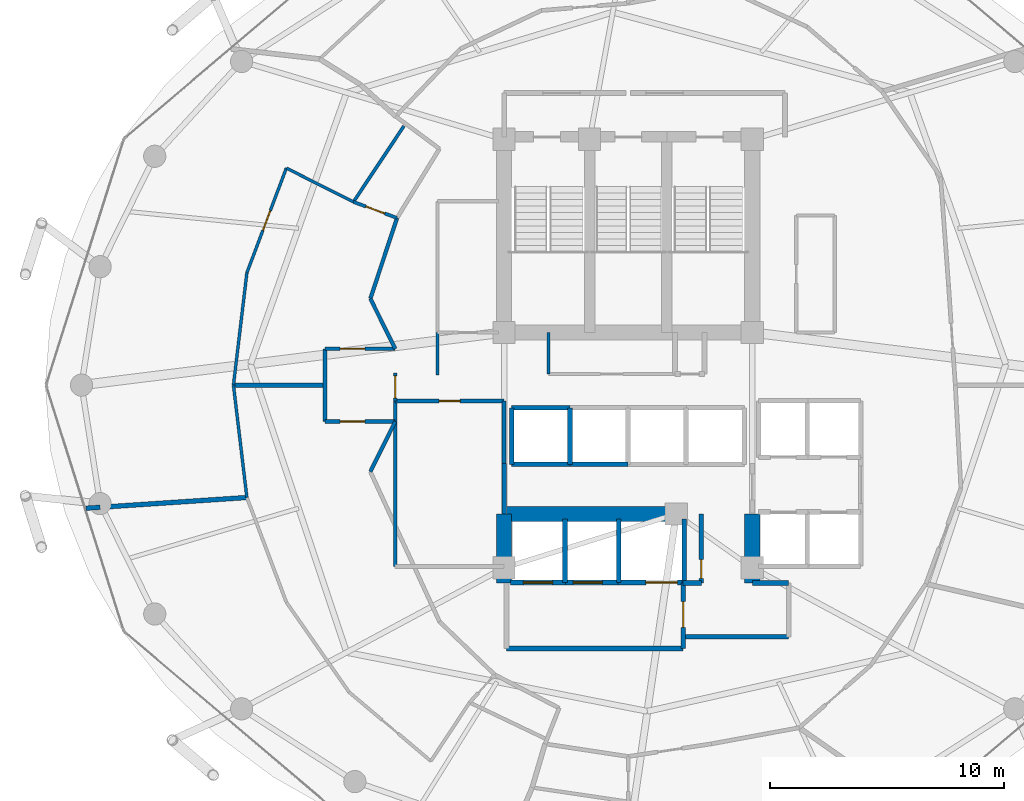
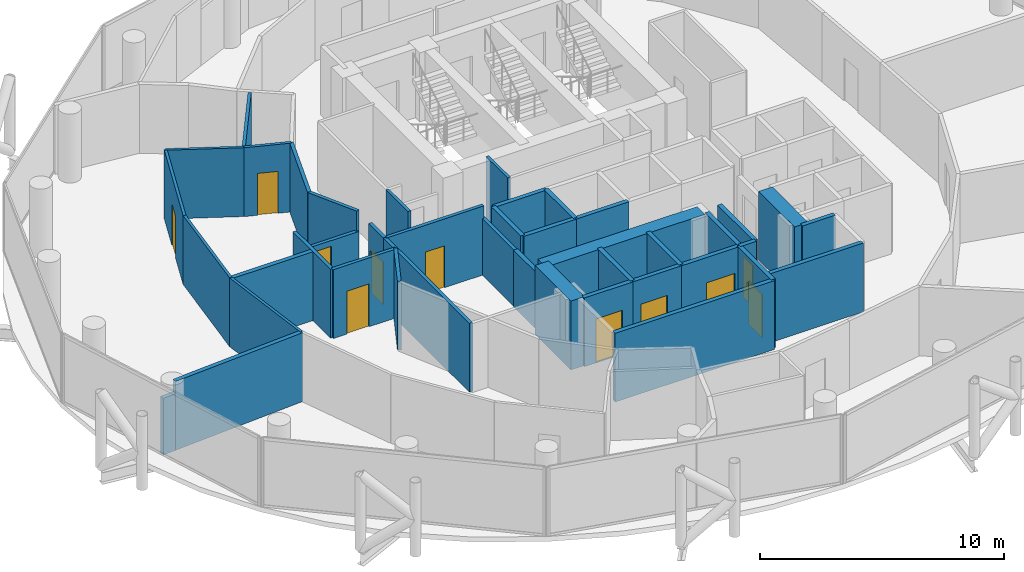
# One storey, part 22 of 26: 42 walls, 11 doors, 11 openings.
"""IFC4 building model written with IfcOpenShell, lengths in metres."""

from ifc_helpers import new_model, si_unit, direction, frame, frame_2d, origin, place, context, subcontext, project, spatial, rectangle, extrude, material, layer, layer_set, type_object, element, fill, save


model = new_model("IFC4")

# Units and contexts
model_context = context("Model", 3, precision=1e-05, world=origin(), true_north=direction((0.0, 1.0)))
body_context = subcontext(model_context, "Body", "Model", "MODEL_VIEW")
ifc_project = project(units=[si_unit("LENGTHUNIT", "METRE"), si_unit("AREAUNIT", "SQUARE_METRE"), si_unit("VOLUMEUNIT", "CUBIC_METRE"), si_unit("PLANEANGLEUNIT", "RADIAN"), si_unit("MASSUNIT", "GRAM", prefix="KILO")], contexts=[model_context])

# Site, building, storey
site_placement = place(None, origin())
site = spatial("IfcSite", under=ifc_project, at=site_placement, CompositionType="ELEMENT")
building_placement = place(site_placement, origin())
building = spatial("IfcBuilding", under=site, at=building_placement, Name="Nuhasar Tower", CompositionType="ELEMENT")
storey_placement = place(building_placement, frame((0.0, 0.0, 155.25)))
storey = spatial("IfcBuildingStorey", under=building, at=storey_placement, Name="L37", CompositionType="ELEMENT", Elevation=155.25)

# Walls
ifc_material_1 = material(Name="Concrete C65/80", Category="concrete")
ifc_layer_1 = layer(ifc_material_1, 0.64990234375)
ifc_layer_set_1 = layer_set([ifc_layer_1], Name="Concrete C65/80")
wall_type_1 = type_object("IfcWallType", Name="WL-CORE-650", PredefinedType="SHEAR", material=ifc_layer_set_1)
for number, where, z_axis, x_axis, name in (
    (1, (33.699951171875, 18.35009765625, 0.0), (0.0, 0.0, 1.0), (0.0, 1.0, 0.0), "L37 Core Shear Wall CW-SW CW-650"),
    (2, (44.300048828125, 18.35009765625, 0.0), (0.0, 0.0, 1.0), (0.0, 1.0, 0.0), "L37 Core Shear Wall CW-SE CW-650"),
):
    element("IfcWall", number, at=place(storey_placement, frame(where, z_axis=z_axis, x_axis=x_axis)), inside=storey, type_object=wall_type_1, Name=name, PredefinedType="SHEAR", context=body_context, shape_type="SweptSolid", body=[
        extrude(rectangle(XDim=2.949951171875, YDim=0.64990234375, at=frame_2d((1.47509765625, 0.0))), origin(), (0.0, 0.0, 1.0), 3.449951171875),
    ])
wall_1_placement = place(storey_placement, frame((33.699951171875, 21.300048828125, 0.0), z_axis=(0.0, 0.0, 1.0), x_axis=(1.0, 0.0, 0.0)))
element("IfcWall", 3, at=wall_1_placement, inside=storey, type_object=wall_type_1, Name="L37 Core Shear Wall CW-S1 CW-650", PredefinedType="SHEAR", context=body_context, shape_type="SweptSolid", body=[
    extrude(rectangle(XDim=7.550048828125, YDim=0.64990234375, at=frame_2d((3.77490234375, 0.0))), origin(), (0.0, 0.0, 1.0), 3.449951171875),
])
ifc_material_2 = material(Name="Gypsum Board", Category="gypsum")
ifc_layer_2 = layer(ifc_material_2, 0.159912109375)
ifc_layer_set_2 = layer_set([ifc_layer_2], Name="Gypsum Board")
wall_type_2 = type_object("IfcWallType", Name="WL-CORR-160", PredefinedType="PARTITIONING", material=ifc_layer_set_2)
wall_2_placement = place(storey_placement, frame((29.050048828125, 19.050048828125, 0.0), z_axis=(0.0, 0.0, 1.0), x_axis=(0.0, 1.0, 0.0)))
element("IfcWall", 4, at=wall_2_placement, inside=storey, type_object=wall_type_2, Name="L37 Interior Partition RECL-B1-W", PredefinedType="PARTITIONING", context=body_context, shape_type="SweptSolid", body=[
    extrude(rectangle(XDim=7.070068359375, YDim=0.159912109375, at=frame_2d((3.53515625, 0.0))), origin(), (0.0, 0.0, 1.0), 3.449951171875),
])
wall_3_placement = place(storey_placement, frame((33.699951171875, 23.449951171875, 0.0), z_axis=(0.0, 0.0, 1.0), x_axis=(0.0, 1.0, 0.0)))
element("IfcWall", 5, at=wall_3_placement, inside=storey, type_object=wall_type_2, Name="L37 Interior Partition RECL-B1-E", PredefinedType="PARTITIONING", context=body_context, shape_type="SweptSolid", body=[
    extrude(rectangle(XDim=2.670166015625, YDim=0.159912109375, at=frame_2d((1.3349609375, 0.0))), origin(), (0.0, 0.0, 1.0), 2.8349609375),
])

# Wall, opening, door
wall_4_placement = place(storey_placement, frame((33.699951171875, 26.1201171875, 0.0), z_axis=(0.0, 0.0, 1.0), x_axis=(-1.0, 0.0, 0.0)))
wall_4 = element("IfcWall", 6, at=wall_4_placement, inside=storey, type_object=wall_type_2, Name="L37 Interior Partition RECL-B1-N", PredefinedType="PARTITIONING", context=body_context, shape_type="SweptSolid", body=[
    extrude(rectangle(XDim=4.64990234375, YDim=0.159912109375, at=frame_2d((2.324951171875, 0.0))), origin(), (0.0, 0.0, 1.0), 3.449951171875),
])
opening_1_placement = place(wall_4_placement, frame((1.875, 0.0, 0.0)))
opening_1 = element("IfcOpeningElement", 7, at=opening_1_placement, cuts=wall_4, Name="Opening DR-01", PredefinedType="OPENING", context=body_context, shape_type="SweptSolid", body=[
    extrude(rectangle(XDim=0.89990234375, YDim=2.10009765625, at=frame_2d((0.449951171875, 1.050048828125))), frame((0.0, 0.08984375, 0.0), z_axis=(0.0, -1.0, 0.0), x_axis=(1.0, 0.0, 0.0)), (0.0, 0.0, 1.0), 0.179931640625),
])
ifc_material_3 = material(Name="Timber Oak", Category="wood")
door_type_1 = type_object("IfcDoorType", Name="DR-ROOM-900", OperationType="NOTDEFINED", PredefinedType="DOOR", material=ifc_material_3)
door_1_placement = place(opening_1_placement, origin())
door_1 = element("IfcDoor", 8, at=door_1_placement, inside=storey, type_object=door_type_1, Name="L37 Butler Store Door", OperationType="SINGLE_SWING_RIGHT", OverallHeight=2.10009765625, OverallWidth=0.89990234375, PredefinedType="DOOR", context=body_context, shape_type="SweptSolid", body=[
    extrude(rectangle(XDim=0.89990234375, YDim=2.10009765625, at=frame_2d((0.449951171875, 1.050048828125))), frame((0.0, 0.02490234375, 0.0), z_axis=(0.0, -1.0, 0.0), x_axis=(1.0, 0.0, 0.0)), (0.0, 0.0, 1.0), 0.050048828125),
])
fill(opening_1, door_1)

wall_5_placement = place(storey_placement, frame((29.050048828125, 26.1201171875, 0.0), z_axis=(0.0, 0.0, 1.0), x_axis=(0.0, 1.0, 0.0)))
wall_5 = element("IfcWall", 9, at=wall_5_placement, inside=storey, type_object=wall_type_2, Name="L37 Interior Partition WVEST-E", PredefinedType="PARTITIONING", context=body_context, shape_type="SweptSolid", body=[
    extrude(rectangle(XDim=1.199951171875, YDim=0.159912109375, at=frame_2d((0.60009765625, 0.0))), origin(), (0.0, 0.0, 1.0), 3.449951171875),
])
opening_2_placement = place(wall_5_placement, frame((0.125, 0.0, 0.0)))
opening_2 = element("IfcOpeningElement", 10, at=opening_2_placement, cuts=wall_5, Name="Opening DO-01", PredefinedType="OPENING", context=body_context, shape_type="SweptSolid", body=[
    extrude(rectangle(XDim=0.949951171875, YDim=2.14990234375, at=frame_2d((0.47509765625, 1.074951171875))), frame((0.0, 0.08984375, 0.0), z_axis=(0.0, -1.0, 0.0), x_axis=(1.0, 0.0, 0.0)), (0.0, 0.0, 1.0), 0.179931640625),
])
door_type_2 = type_object("IfcDoorType", Name="DR-OFFICE-FD30-950", OperationType="NOTDEFINED", PredefinedType="DOOR", material=ifc_material_3)
door_2_placement = place(opening_2_placement, origin())
door_2 = element("IfcDoor", 11, at=door_2_placement, inside=storey, type_object=door_type_2, Name="L37 West Arrival Foyer Core Door", OperationType="SINGLE_SWING_RIGHT", OverallHeight=2.14990234375, OverallWidth=0.949951171875, PredefinedType="DOOR", context=body_context, shape_type="SweptSolid", body=[
    extrude(rectangle(XDim=0.949951171875, YDim=2.14990234375, at=frame_2d((0.47509765625, 1.074951171875))), frame((0.0, 0.02490234375, 0.0), z_axis=(0.0, -1.0, 0.0), x_axis=(1.0, 0.0, 0.0)), (0.0, 0.0, 1.0), 0.050048828125),
])
fill(opening_2, door_2)

# Wall
wall_6_placement = place(storey_placement, frame((29.126953125, 33.93994140625, 0.0), z_axis=(0.0, 0.0, 1.0), x_axis=(-0.313985571683, -0.949427754374, 0.0)))
element("IfcWall", 12, at=wall_6_placement, inside=storey, type_object=wall_type_2, Name="L37 Interior Partition HWEST-CORE-N-20", PredefinedType="PARTITIONING", context=body_context, shape_type="SweptSolid", body=[
    extrude(rectangle(XDim=3.627197265625, YDim=0.159912109375, at=frame_2d((1.8134765625, 0.0))), origin(), (0.0, 0.0, 1.0), 3.449951171875),
])

# Wall, opening, door
wall_7_placement = place(storey_placement, frame((26.050048828125, 28.35009765625, 0.0), z_axis=(0.0, 0.0, 1.0), x_axis=(1.0, 0.0, 0.0)))
wall_7 = element("IfcWall", 13, at=wall_7_placement, inside=storey, type_object=wall_type_2, Name="L37 Interior Partition WVEST-N", PredefinedType="PARTITIONING", context=body_context, shape_type="SweptSolid", body=[
    extrude(rectangle(XDim=3.0, YDim=0.159912109375, at=frame_2d((1.5, 0.0))), origin(), (0.0, 0.0, 1.0), 2.43994140625),
])
opening_3_placement = place(wall_7_placement, frame((0.64990234375, 0.0, 0.0)))
opening_3 = element("IfcOpeningElement", 14, at=opening_3_placement, cuts=wall_7, Name="Opening DU-01", PredefinedType="OPENING", context=body_context, shape_type="SweptSolid", body=[
    extrude(rectangle(XDim=1.050048828125, YDim=2.14990234375, at=frame_2d((0.52490234375, 1.074951171875))), frame((0.0, 0.08984375, 0.0), z_axis=(0.0, -1.0, 0.0), x_axis=(1.0, 0.0, 0.0)), (0.0, 0.0, 1.0), 0.179931640625),
])
door_type_3 = type_object("IfcDoorType", Name="DR-SUITE-FD60-1050", OperationType="NOTDEFINED", PredefinedType="DOOR", material=ifc_material_3)
door_3_placement = place(opening_3_placement, origin())
door_3 = element("IfcDoor", 15, at=door_3_placement, inside=storey, type_object=door_type_3, Name="L37 North-West Sunset Suite Entrance", OperationType="SINGLE_SWING_LEFT", OverallHeight=2.14990234375, OverallWidth=1.050048828125, PredefinedType="DOOR", context=body_context, shape_type="SweptSolid", body=[
    extrude(rectangle(XDim=1.050048828125, YDim=2.14990234375, at=frame_2d((0.52490234375, 1.074951171875))), frame((0.0, 0.02490234375, 0.0), z_axis=(0.0, -1.0, 0.0), x_axis=(1.0, 0.0, 0.0)), (0.0, 0.0, 1.0), 0.050048828125),
])
fill(opening_3, door_3)

wall_8_placement = place(storey_placement, frame((26.050048828125, 25.25, 0.0), z_axis=(0.0, 0.0, 1.0), x_axis=(1.0, 0.0, 0.0)))
wall_8 = element("IfcWall", 16, at=wall_8_placement, inside=storey, type_object=wall_type_2, Name="L37 Interior Partition WVEST-S", PredefinedType="PARTITIONING", context=body_context, shape_type="SweptSolid", body=[
    extrude(rectangle(XDim=3.0, YDim=0.159912109375, at=frame_2d((1.5, 0.0))), origin(), (0.0, 0.0, 1.0), 3.449951171875),
])
opening_4_placement = place(wall_8_placement, frame((0.64990234375, 0.0, 0.0)))
opening_4 = element("IfcOpeningElement", 17, at=opening_4_placement, cuts=wall_8, Name="Opening DU-01", PredefinedType="OPENING", context=body_context, shape_type="SweptSolid", body=[
    extrude(rectangle(XDim=1.050048828125, YDim=2.14990234375, at=frame_2d((0.52490234375, 1.074951171875))), frame((0.0, 0.08984375, 0.0), z_axis=(0.0, -1.0, 0.0), x_axis=(1.0, 0.0, 0.0)), (0.0, 0.0, 1.0), 0.179931640625),
])
door_4_placement = place(opening_4_placement, origin())
door_4 = element("IfcDoor", 18, at=door_4_placement, inside=storey, type_object=door_type_3, Name="L37 South-West Presidential Suite Entrance", OperationType="SINGLE_SWING_LEFT", OverallHeight=2.14990234375, OverallWidth=1.050048828125, PredefinedType="DOOR", context=body_context, shape_type="SweptSolid", body=[
    extrude(rectangle(XDim=1.050048828125, YDim=2.14990234375, at=frame_2d((0.52490234375, 1.074951171875))), frame((0.0, 0.02490234375, 0.0), z_axis=(0.0, -1.0, 0.0), x_axis=(1.0, 0.0, 0.0)), (0.0, 0.0, 1.0), 0.050048828125),
])
fill(opening_4, door_4)

# Walls
wall_9_placement = place(storey_placement, frame((26.050048828125, 25.25, 0.0), z_axis=(0.0, 0.0, 1.0), x_axis=(0.0, 1.0, 0.0)))
element("IfcWall", 19, at=wall_9_placement, inside=storey, type_object=wall_type_2, Name="L37 Interior Partition WVEST-W", PredefinedType="PARTITIONING", context=body_context, shape_type="SweptSolid", body=[
    extrude(rectangle(XDim=3.10009765625, YDim=0.159912109375, at=frame_2d((1.550048828125, 0.0))), origin(), (0.0, 0.0, 1.0), 3.449951171875),
])
for number, where, z_axis, x_axis, name in (
    (20, (27.988037109375, 30.49609375, 0.0), (0.0, 0.0, 1.0), (0.443539160525, -0.896254993337, 0.0), "L37 Interior Partition WVEST-CN"),
    (21, (27.988037109375, 23.10400390625, 0.0), (0.0, 0.0, 1.0), (0.443539160525, 0.896254993337, 0.0), "L37 Interior Partition WVEST-CS"),
):
    element("IfcWall", number, at=place(storey_placement, frame(where, z_axis=z_axis, x_axis=x_axis)), inside=storey, type_object=wall_type_2, Name=name, PredefinedType="PARTITIONING", context=body_context, shape_type="SweptSolid", body=[
        extrude(rectangle(XDim=2.394287109375, YDim=0.159912109375, at=frame_2d((1.197265625, 0.0))), origin(), (0.0, 0.0, 1.0), 3.449951171875),
    ])
ifc_material_4 = material(Name="Concrete C45/55", Category="concrete")
ifc_layer_3 = layer(ifc_material_4, 0.199951171875)
ifc_layer_set_3 = layer_set([ifc_layer_3], Name="Concrete C45/55")
wall_type_3 = type_object("IfcWallType", Name="WL-LOBBY-200", PredefinedType="SOLIDWALL", material=ifc_layer_set_3)
wall_10_placement = place(storey_placement, frame((33.699951171875, 21.300048828125, 0.0), z_axis=(0.0, 0.0, 1.0), x_axis=(0.0, 1.0, 0.0)))
element("IfcWall", 22, at=wall_10_placement, inside=storey, type_object=wall_type_3, Name="L37 Interior Partition LLBH-W", PredefinedType="SOLIDWALL", context=body_context, shape_type="SweptSolid", body=[
    extrude(rectangle(XDim=2.14990234375, YDim=0.199951171875, at=frame_2d((1.074951171875, 0.0))), origin(), (0.0, 0.0, 1.0), 2.8349609375),
])
wall_11_placement = place(storey_placement, frame((33.800048828125, 15.550048828125, 0.0), z_axis=(0.0, 0.0, 1.0), x_axis=(1.0, 0.0, 0.0)))
element("IfcWall", 23, at=wall_11_placement, inside=storey, type_object=wall_type_3, Name="L37 Interior Partition FFL-S", PredefinedType="SOLIDWALL", context=body_context, shape_type="SweptSolid", body=[
    extrude(rectangle(XDim=7.550048828125, YDim=0.199951171875, at=frame_2d((3.77490234375, 0.0))), origin(), (0.0, 0.0, 1.0), 3.449951171875),
])

# Wall, opening, door
wall_12_placement = place(storey_placement, frame((41.35009765625, 15.550048828125, 0.0), z_axis=(0.0, 0.0, 1.0), x_axis=(0.0, 1.0, 0.0)))
wall_12 = element("IfcWall", 24, at=wall_12_placement, inside=storey, type_object=wall_type_3, Name="L37 Interior Partition FFL-E", PredefinedType="SOLIDWALL", context=body_context, shape_type="SweptSolid", body=[
    extrude(rectangle(XDim=2.800048828125, YDim=0.199951171875, at=frame_2d((1.39990234375, 0.0))), origin(), (0.0, 0.0, 1.0), 3.449951171875),
])
opening_5_placement = place(wall_12_placement, frame((0.89990234375, 0.0, 0.0)))
opening_5 = element("IfcOpeningElement", 25, at=opening_5_placement, cuts=wall_12, Name="Opening DS-02", PredefinedType="OPENING", context=body_context, shape_type="SweptSolid", body=[
    extrude(rectangle(XDim=1.10009765625, YDim=2.14990234375, at=frame_2d((0.550048828125, 1.074951171875))), frame((0.0, 0.10986328125, 0.0), z_axis=(0.0, -1.0, 0.0), x_axis=(1.0, 0.0, 0.0)), (0.0, 0.0, 1.0), 0.219970703125),
])
ifc_material_5 = material(Name="Steel S355", Category="steel")
door_type_4 = type_object("IfcDoorType", Name="DR-FFL-FD120-1100", OperationType="NOTDEFINED", PredefinedType="DOOR", material=ifc_material_5)
door_5_placement = place(opening_5_placement, origin())
door_5 = element("IfcDoor", 26, at=door_5_placement, inside=storey, type_object=door_type_4, Name="L37 Firefighting Lobby Door", OperationType="SINGLE_SWING_RIGHT", OverallHeight=2.14990234375, OverallWidth=1.10009765625, PredefinedType="DOOR", context=body_context, shape_type="SweptSolid", body=[
    extrude(rectangle(XDim=1.10009765625, YDim=2.14990234375, at=frame_2d((0.550048828125, 1.074951171875))), frame((0.0, 0.02490234375, 0.0), z_axis=(0.0, -1.0, 0.0), x_axis=(1.0, 0.0, 0.0)), (0.0, 0.0, 1.0), 0.050048828125),
])
fill(opening_5, door_5)

# Walls
wall_13_placement = place(storey_placement, frame((41.35009765625, 16.050048828125, 0.0), z_axis=(0.0, 0.0, 1.0), x_axis=(1.0, 0.0, 0.0)))
element("IfcWall", 27, at=wall_13_placement, inside=storey, type_object=wall_type_3, Name="L37 Interior Partition SVLV-S", PredefinedType="SOLIDWALL", context=body_context, shape_type="SweptSolid", body=[
    extrude(rectangle(XDim=4.5, YDim=0.199951171875, at=frame_2d((2.25, 0.0))), origin(), (0.0, 0.0, 1.0), 3.449951171875),
])
wall_14_placement = place(storey_placement, frame((44.300048828125, 18.35009765625, 0.0), z_axis=(0.0, 0.0, 1.0), x_axis=(1.0, 0.0, 0.0)))
element("IfcWall", 28, at=wall_14_placement, inside=storey, type_object=wall_type_3, Name="L37 Interior Partition SVLV-N", PredefinedType="SOLIDWALL", context=body_context, shape_type="SweptSolid", body=[
    extrude(rectangle(XDim=1.550048828125, YDim=0.199951171875, at=frame_2d((0.77490234375, 0.0))), origin(), (0.0, 0.0, 1.0), 3.449951171875),
])
ifc_layer_4 = layer(ifc_material_2, 0.125)
ifc_layer_set_4 = layer_set([ifc_layer_4], Name="Gypsum Board")
wall_type_4 = type_object("IfcWallType", Name="WL-PART-125", PredefinedType="PARTITIONING", material=ifc_layer_set_4)
wall_15_placement = place(storey_placement, frame((27.264892578125, 34.625, 0.0), z_axis=(0.0, 0.0, 1.0), x_axis=(-0.892916050569, 0.450223196466, 0.0)))
element("IfcWall", 29, at=wall_15_placement, inside=storey, type_object=wall_type_4, Name="L37 Interior Partition HWS1-S", PredefinedType="PARTITIONING", context=body_context, shape_type="SweptSolid", body=[
    extrude(rectangle(XDim=3.209716796875, YDim=0.125, at=frame_2d((1.60498046875, 0.0))), origin(), (0.0, 0.0, 1.0), 3.449951171875),
])

# Wall, opening, door
wall_16_placement = place(storey_placement, frame((24.39892578125, 36.070068359375, 0.0), z_axis=(0.0, 0.0, 1.0), x_axis=(-0.352629336954, -0.935763084717, 0.0)))
wall_16 = element("IfcWall", 30, at=wall_16_placement, inside=storey, type_object=wall_type_4, Name="L37 Interior Partition HWS1-ARC-20", PredefinedType="PARTITIONING", context=body_context, shape_type="SweptSolid", body=[
    extrude(rectangle(XDim=4.77783203125, YDim=0.125, at=frame_2d((2.388916015625, 0.0))), origin(), (0.0, 0.0, 1.0), 3.449951171875),
])
opening_6_placement = place(wall_16_placement, frame((1.93896484375, 0.0, 0.0)))
opening_6 = element("IfcOpeningElement", 31, at=opening_6_placement, cuts=wall_16, Name="Opening DR-01", PredefinedType="OPENING", context=body_context, shape_type="SweptSolid", body=[
    extrude(rectangle(XDim=0.89990234375, YDim=2.10009765625, at=frame_2d((0.449951171875, 1.050048828125))), frame((0.0, 0.072509765625, 0.0), z_axis=(0.0, -1.0, 0.0), x_axis=(1.0, 0.0, 0.0)), (0.0, 0.0, 1.0), 0.14501953125),
])
door_6_placement = place(opening_6_placement, origin())
door_6 = element("IfcDoor", 32, at=door_6_placement, inside=storey, type_object=door_type_1, Name="L37 North-West Sunset Suite Bedroom Door", OperationType="SINGLE_SWING_RIGHT", OverallHeight=2.10009765625, OverallWidth=0.89990234375, PredefinedType="DOOR", context=body_context, shape_type="SweptSolid", body=[
    extrude(rectangle(XDim=0.89990234375, YDim=2.10009765625, at=frame_2d((0.449951171875, 1.050048828125))), frame((0.0, 0.02490234375, 0.0), z_axis=(0.0, -1.0, 0.0), x_axis=(1.0, 0.0, 0.0)), (0.0, 0.0, 1.0), 0.050048828125),
])
fill(opening_6, door_6)

# Walls
for number, where, z_axis, x_axis, name in (
    (33, (22.714111328125, 31.59912109375, 0.0), (0.0, 0.0, 1.0), (-0.118804615011, -0.992917651899, 0.0), "L37 Interior Partition HWS1-ARC-22"),
    (34, (22.139892578125, 26.800048828125, 0.0), (0.0, 0.0, 1.0), (0.118804615011, -0.992917651899, 0.0), "L37 Interior Partition HWS2-ARC-24"),
):
    element("IfcWall", number, at=place(storey_placement, frame(where, z_axis=z_axis, x_axis=x_axis)), inside=storey, type_object=wall_type_4, Name=name, PredefinedType="PARTITIONING", context=body_context, shape_type="SweptSolid", body=[
        extrude(rectangle(XDim=4.833251953125, YDim=0.125, at=frame_2d((2.41650390625, 0.0))), origin(), (0.0, 0.0, 1.0), 3.449951171875),
    ])
ifc_layer_5 = layer(ifc_material_4, 0.199951171875)
ifc_layer_set_5 = layer_set([ifc_layer_5], Name="Concrete C45/55")
wall_type_5 = type_object("IfcWallType", Name="WL-SHAFT-200", PredefinedType="SOLIDWALL", material=ifc_layer_set_5)
for number, where, z_axis, x_axis, name in (
    (35, (34.02001953125, 23.419921875, 0.0), (0.0, 0.0, 1.0), (1.0, 0.0, 0.0), "L37 Interior Partition SHF-PL-H01-S"),
    (36, (34.02001953125, 25.830078125, 0.0), (0.0, 0.0, 1.0), (1.0, 0.0, 0.0), "L37 Interior Partition SHF-PL-H01-N"),
):
    element("IfcWall", number, at=place(storey_placement, frame(where, z_axis=z_axis, x_axis=x_axis)), inside=storey, type_object=wall_type_5, Name=name, PredefinedType="SOLIDWALL", context=body_context, shape_type="SweptSolid", body=[
        extrude(rectangle(XDim=2.5, YDim=0.199951171875, at=frame_2d((1.25, 0.0))), origin(), (0.0, 0.0, 1.0), 3.449951171875),
    ])
for number, where, z_axis, x_axis, name in (
    (37, (34.02001953125, 23.419921875, 0.0), (0.0, 0.0, 1.0), (0.0, 1.0, 0.0), "L37 Interior Partition SHF-PL-H01-W"),
    (38, (36.510009765625, 23.419921875, 0.0), (0.0, 0.0, 1.0), (0.0, 1.0, 0.0), "L37 Interior Partition SHF-PL-H01-E"),
):
    element("IfcWall", number, at=place(storey_placement, frame(where, z_axis=z_axis, x_axis=x_axis)), inside=storey, type_object=wall_type_5, Name=name, PredefinedType="SOLIDWALL", context=body_context, shape_type="SweptSolid", body=[
        extrude(rectangle(XDim=2.41015625, YDim=0.199951171875, at=frame_2d((1.205078125, 0.0))), origin(), (0.0, 0.0, 1.0), 3.449951171875),
    ])
wall_17_placement = place(storey_placement, frame((36.5, 23.419921875, 0.0), z_axis=(0.0, 0.0, 1.0), x_axis=(1.0, 0.0, 0.0)))
element("IfcWall", 39, at=wall_17_placement, inside=storey, type_object=wall_type_5, Name="L37 Interior Partition SHF-PL-H02-S", PredefinedType="SOLIDWALL", context=body_context, shape_type="SweptSolid", body=[
    extrude(rectangle(XDim=2.5, YDim=0.199951171875, at=frame_2d((1.25, 0.0))), origin(), (0.0, 0.0, 1.0), 3.449951171875),
])

# Wall, opening, door
wall_18_placement = place(storey_placement, frame((33.969970703125, 18.3701171875, 0.0), z_axis=(0.0, 0.0, 1.0), x_axis=(1.0, 0.0, 0.0)))
wall_18 = element("IfcWall", 40, at=wall_18_placement, inside=storey, type_object=wall_type_5, Name="L37 Interior Partition SHF-FFL-01-S", PredefinedType="SOLIDWALL", context=body_context, shape_type="SweptSolid", body=[
    extrude(rectangle(XDim=2.360107421875, YDim=0.199951171875, at=frame_2d((1.18017578125, 0.0))), origin(), (0.0, 0.0, 1.0), 3.449951171875),
])
opening_7_placement = place(wall_18_placement, frame((0.554931640625, 0.0, 0.0)))
opening_7 = element("IfcOpeningElement", 41, at=opening_7_placement, cuts=wall_18, Name="Opening LD-F01", PredefinedType="OPENING", context=body_context, shape_type="SweptSolid", body=[
    extrude(rectangle(XDim=1.25, YDim=2.199951171875, at=frame_2d((0.625, 1.10009765625))), frame((0.0, 0.10986328125, 0.0), z_axis=(0.0, -1.0, 0.0), x_axis=(1.0, 0.0, 0.0)), (0.0, 0.0, 1.0), 0.219970703125),
])
ifc_material_6 = material(Name="Stainless Steel 316L", Category="steel")
door_type_5 = type_object("IfcDoorType", Name="LD-FFL-1250", OperationType="DOUBLE_DOOR_SLIDING", PredefinedType="DOOR", material=ifc_material_6)
door_7_placement = place(opening_7_placement, origin())
door_7 = element("IfcDoor", 42, at=door_7_placement, inside=storey, type_object=door_type_5, Name="L37 Lift Landing Door FFL-01", OperationType="DOUBLE_DOOR_SLIDING", OverallHeight=2.199951171875, OverallWidth=1.25, PredefinedType="DOOR", context=body_context, shape_type="SweptSolid", body=[
    extrude(rectangle(XDim=1.25, YDim=2.199951171875, at=frame_2d((0.625, 1.10009765625))), frame((0.0, 0.02490234375, 0.0), z_axis=(0.0, -1.0, 0.0), x_axis=(1.0, 0.0, 0.0)), (0.0, 0.0, 1.0), 0.050048828125),
])
fill(opening_7, door_7)

# Wall
wall_19_placement = place(storey_placement, frame((36.300048828125, 18.3701171875, 0.0), z_axis=(0.0, 0.0, 1.0), x_axis=(0.0, 1.0, 0.0)))
element("IfcWall", 43, at=wall_19_placement, inside=storey, type_object=wall_type_5, Name="L37 Interior Partition SHF-FFL-01-E", PredefinedType="SOLIDWALL", context=body_context, shape_type="SweptSolid", body=[
    extrude(rectangle(XDim=2.7099609375, YDim=0.199951171875, at=frame_2d((1.35498046875, 0.0))), origin(), (0.0, 0.0, 1.0), 3.449951171875),
])

# Wall, opening, door
wall_20_placement = place(storey_placement, frame((36.27001953125, 18.3701171875, 0.0), z_axis=(0.0, 0.0, 1.0), x_axis=(1.0, 0.0, 0.0)))
wall_20 = element("IfcWall", 44, at=wall_20_placement, inside=storey, type_object=wall_type_5, Name="L37 Interior Partition SHF-FFL-02-S", PredefinedType="SOLIDWALL", context=body_context, shape_type="SweptSolid", body=[
    extrude(rectangle(XDim=2.35986328125, YDim=0.199951171875, at=frame_2d((1.179931640625, 0.0))), origin(), (0.0, 0.0, 1.0), 3.449951171875),
])
opening_8_placement = place(wall_20_placement, frame((0.3798828125, 0.0, 0.0)))
opening_8 = element("IfcOpeningElement", 45, at=opening_8_placement, cuts=wall_20, Name="Opening LD-F02", PredefinedType="OPENING", context=body_context, shape_type="SweptSolid", body=[
    extrude(rectangle(XDim=1.25, YDim=2.199951171875, at=frame_2d((0.625, 1.10009765625))), frame((0.0, 0.10986328125, 0.0), z_axis=(0.0, -1.0, 0.0), x_axis=(1.0, 0.0, 0.0)), (0.0, 0.0, 1.0), 0.219970703125),
])
door_8_placement = place(opening_8_placement, origin())
door_8 = element("IfcDoor", 46, at=door_8_placement, inside=storey, type_object=door_type_5, Name="L37 Lift Landing Door FFL-02", OperationType="DOUBLE_DOOR_SLIDING", OverallHeight=2.199951171875, OverallWidth=1.25, PredefinedType="DOOR", context=body_context, shape_type="SweptSolid", body=[
    extrude(rectangle(XDim=1.25, YDim=2.199951171875, at=frame_2d((0.625, 1.10009765625))), frame((0.0, 0.02490234375, 0.0), z_axis=(0.0, -1.0, 0.0), x_axis=(1.0, 0.0, 0.0)), (0.0, 0.0, 1.0), 0.050048828125),
])
fill(opening_8, door_8)

# Wall
wall_21_placement = place(storey_placement, frame((38.60009765625, 18.3701171875, 0.0), z_axis=(0.0, 0.0, 1.0), x_axis=(0.0, 1.0, 0.0)))
element("IfcWall", 47, at=wall_21_placement, inside=storey, type_object=wall_type_5, Name="L37 Interior Partition SHF-FFL-02-E", PredefinedType="SOLIDWALL", context=body_context, shape_type="SweptSolid", body=[
    extrude(rectangle(XDim=2.7099609375, YDim=0.199951171875, at=frame_2d((1.35498046875, 0.0))), origin(), (0.0, 0.0, 1.0), 3.449951171875),
])

# Wall, opening, door
wall_22_placement = place(storey_placement, frame((38.570068359375, 18.3701171875, 0.0), z_axis=(0.0, 0.0, 1.0), x_axis=(1.0, 0.0, 0.0)))
wall_22 = element("IfcWall", 48, at=wall_22_placement, inside=storey, type_object=wall_type_5, Name="L37 Interior Partition SHF-SVL-01-S", PredefinedType="SOLIDWALL", context=body_context, shape_type="SweptSolid", body=[
    extrude(rectangle(XDim=2.829833984375, YDim=0.199951171875, at=frame_2d((1.4150390625, 0.0))), origin(), (0.0, 0.0, 1.0), 3.449951171875),
])
opening_9_placement = place(wall_22_placement, frame((1.179931640625, 0.0, 0.0)))
opening_9 = element("IfcOpeningElement", 49, at=opening_9_placement, cuts=wall_22, Name="Opening LD-S01", PredefinedType="OPENING", context=body_context, shape_type="SweptSolid", body=[
    extrude(rectangle(XDim=1.35009765625, YDim=2.179931640625, at=frame_2d((0.675048828125, 1.08984375))), frame((0.0, 0.10986328125, 0.0), z_axis=(0.0, -1.0, 0.0), x_axis=(1.0, 0.0, 0.0)), (0.0, 0.0, 1.0), 0.219970703125),
])
door_type_6 = type_object("IfcDoorType", Name="LD-SVL-1350", OperationType="DOUBLE_DOOR_SLIDING", PredefinedType="DOOR", material=ifc_material_6)
door_9_placement = place(opening_9_placement, origin())
door_9 = element("IfcDoor", 50, at=door_9_placement, inside=storey, type_object=door_type_6, Name="L37 Lift Landing Door SVL-01", OperationType="DOUBLE_DOOR_SLIDING", OverallHeight=2.179931640625, OverallWidth=1.35009765625, PredefinedType="DOOR", context=body_context, shape_type="SweptSolid", body=[
    extrude(rectangle(XDim=1.35009765625, YDim=2.179931640625, at=frame_2d((0.675048828125, 1.08984375))), frame((0.0, 0.02490234375, 0.0), z_axis=(0.0, -1.0, 0.0), x_axis=(1.0, 0.0, 0.0)), (0.0, 0.0, 1.0), 0.050048828125),
])
fill(opening_9, door_9)

# Wall
wall_23_placement = place(storey_placement, frame((41.39990234375, 18.3701171875, 0.0), z_axis=(0.0, 0.0, 1.0), x_axis=(0.0, 1.0, 0.0)))
element("IfcWall", 51, at=wall_23_placement, inside=storey, type_object=wall_type_5, Name="L37 Interior Partition SHF-SVL-01-E", PredefinedType="SOLIDWALL", context=body_context, shape_type="SweptSolid", body=[
    extrude(rectangle(XDim=2.7099609375, YDim=0.199951171875, at=frame_2d((1.35498046875, 0.0))), origin(), (0.0, 0.0, 1.0), 3.449951171875),
])

# Wall, opening, door
wall_24_placement = place(storey_placement, frame((42.1201171875, 18.35009765625, 0.0), z_axis=(0.0, 0.0, 1.0), x_axis=(0.0, 1.0, 0.0)))
wall_24 = element("IfcWall", 52, at=wall_24_placement, inside=storey, type_object=wall_type_5, Name="L37 Interior Partition RSR-E", PredefinedType="SOLIDWALL", context=body_context, shape_type="SweptSolid", body=[
    extrude(rectangle(XDim=2.949951171875, YDim=0.199951171875, at=frame_2d((1.47509765625, 0.0))), origin(), (0.0, 0.0, 1.0), 3.449951171875),
])
opening_10_placement = place(wall_24_placement, frame((0.199951171875, 0.0, 0.0)))
opening_10 = element("IfcOpeningElement", 53, at=opening_10_placement, cuts=wall_24, Name="Opening DM-01", PredefinedType="OPENING", context=body_context, shape_type="SweptSolid", body=[
    extrude(rectangle(XDim=0.800048828125, YDim=2.050048828125, at=frame_2d((0.39990234375, 1.02490234375))), frame((0.0, 0.10986328125, 0.0), z_axis=(0.0, -1.0, 0.0), x_axis=(1.0, 0.0, 0.0)), (0.0, 0.0, 1.0), 0.219970703125),
])
door_type_7 = type_object("IfcDoorType", Name="DR-RISER-FD60-800", OperationType="NOTDEFINED", PredefinedType="DOOR", material=ifc_material_5)
door_10_placement = place(opening_10_placement, origin())
door_10 = element("IfcDoor", 54, at=door_10_placement, inside=storey, type_object=door_type_7, Name="L37 MEP Riser Access Door", OperationType="SINGLE_SWING_LEFT", OverallHeight=2.050048828125, OverallWidth=0.800048828125, PredefinedType="DOOR", context=body_context, shape_type="SweptSolid", body=[
    extrude(rectangle(XDim=0.800048828125, YDim=2.050048828125, at=frame_2d((0.39990234375, 1.02490234375))), frame((0.0, 0.02490234375, 0.0), z_axis=(0.0, -1.0, 0.0), x_axis=(1.0, 0.0, 0.0)), (0.0, 0.0, 1.0), 0.050048828125),
])
fill(opening_10, door_10)

# Walls
wall_25_placement = place(storey_placement, frame((41.35009765625, 18.35009765625, 0.0), z_axis=(0.0, 0.0, 1.0), x_axis=(1.0, 0.0, 0.0)))
element("IfcWall", 55, at=wall_25_placement, inside=storey, type_object=wall_type_5, Name="L37 Interior Partition RSR-S", PredefinedType="SOLIDWALL", context=body_context, shape_type="SweptSolid", body=[
    extrude(rectangle(XDim=0.77001953125, YDim=0.199951171875, at=frame_2d((0.385009765625, 0.0))), origin(), (0.0, 0.0, 1.0), 3.449951171875),
])
ifc_material_7 = material(Name="Concrete C40/50 precast", Category="concrete")
ifc_layer_6 = layer(ifc_material_7, 0.199951171875)
ifc_layer_set_6 = layer_set([ifc_layer_6], Name="Concrete C40/50 precast")
wall_type_6 = type_object("IfcWallType", Name="WL-UNIT-200", PredefinedType="PARTITIONING", material=ifc_layer_set_6)
wall_26_placement = place(storey_placement, frame((26.050048828125, 26.800048828125, 0.0), z_axis=(0.0, 0.0, 1.0), x_axis=(-1.0, 0.0, 0.0)))
element("IfcWall", 56, at=wall_26_placement, inside=storey, type_object=wall_type_6, Name="L37 Interior Partition HWEST-DIV-IN", PredefinedType="PARTITIONING", context=body_context, shape_type="SweptSolid", body=[
    extrude(rectangle(XDim=3.91015625, YDim=0.199951171875, at=frame_2d((1.955078125, 0.0))), origin(), (0.0, 0.0, 1.0), 3.449951171875),
])
wall_27_placement = place(storey_placement, frame((22.714111328125, 22.0009765625, 0.0), z_axis=(0.0, 0.0, 1.0), x_axis=(-0.997793749083, -0.066390016495, 0.0)))
element("IfcWall", 57, at=wall_27_placement, inside=storey, type_object=wall_type_6, Name="L37 Interior Partition HWEST-DIV-OUT", PredefinedType="PARTITIONING", context=body_context, shape_type="SweptSolid", body=[
    extrude(rectangle(XDim=6.281005859375, YDim=0.199951171875, at=frame_2d((3.140625, 0.0))), origin(), (0.0, 0.0, 1.0), 3.449951171875),
])
wall_28_placement = place(storey_placement, frame((16.447021484375, 21.583984375, 0.0), z_axis=(0.0, 0.0, 1.0), x_axis=(-0.997846662706, -0.065589920915, 0.0)))
element("IfcWall", 58, at=wall_28_placement, inside=storey, type_object=wall_type_6, Name="L37 Interior Partition HWEST-DIV-OUT", PredefinedType="PARTITIONING", context=body_context, shape_type="SweptSolid", body=[
    extrude(rectangle(XDim=0.6103515625, YDim=0.199951171875, at=frame_2d((0.30517578125, 0.0))), origin(), (0.0, 0.0, 1.0), 2.8349609375),
])
ifc_layer_7 = layer(ifc_material_7, 0.139892578125)
ifc_layer_set_7 = layer_set([ifc_layer_7], Name="Concrete C40/50 precast")
wall_type_7 = type_object("IfcWallType", Name="WL-WET-140", PredefinedType="PARTITIONING", material=ifc_layer_set_7)
wall_29_placement = place(storey_placement, frame((35.60009765625, 27.280029296875, 0.0), z_axis=(0.0, 0.0, 1.0), x_axis=(0.0, 1.0, 0.0)))
element("IfcWall", 59, at=wall_29_placement, inside=storey, type_object=wall_type_7, Name="L37 Interior Partition CSVC-W", PredefinedType="PARTITIONING", context=body_context, shape_type="SweptSolid", body=[
    extrude(rectangle(XDim=1.77001953125, YDim=0.139892578125, at=frame_2d((0.885009765625, 0.0))), origin(), (0.0, 0.0, 1.0), 3.449951171875),
])
wall_30_placement = place(storey_placement, frame((30.85009765625, 27.239990234375, 0.0), z_axis=(0.0, 0.0, 1.0), x_axis=(0.0, 1.0, 0.0)))
element("IfcWall", 60, at=wall_30_placement, inside=storey, type_object=wall_type_7, Name="L37 Interior Partition K3-FOY-W", PredefinedType="PARTITIONING", context=body_context, shape_type="SweptSolid", body=[
    extrude(rectangle(XDim=1.81005859375, YDim=0.139892578125, at=frame_2d((0.905029296875, 0.0))), origin(), (0.0, 0.0, 1.0), 3.449951171875),
])

# Wall, opening, door
wall_31_placement = place(storey_placement, frame((27.264892578125, 34.625, 0.0), z_axis=(0.0, 0.0, 1.0), x_axis=(0.938500583084, -0.345277649945, 0.0)))
wall_31 = element("IfcWall", 61, at=wall_31_placement, inside=storey, type_object=wall_type_7, Name="L37 Interior Partition HBW1-S", PredefinedType="PARTITIONING", context=body_context, shape_type="SweptSolid", body=[
    extrude(rectangle(XDim=1.984130859375, YDim=0.139892578125, at=frame_2d((0.9921875, 0.0))), origin(), (0.0, 0.0, 1.0), 3.449951171875),
])
opening_11_placement = place(wall_31_placement, frame((0.56689453125, 0.0, 0.0)))
opening_11 = element("IfcOpeningElement", 62, at=opening_11_placement, cuts=wall_31, Name="Opening DB-01", PredefinedType="OPENING", context=body_context, shape_type="SweptSolid", body=[
    extrude(rectangle(XDim=0.85009765625, YDim=2.10009765625, at=frame_2d((0.425048828125, 1.050048828125))), frame((0.0, 0.080078125, 0.0), z_axis=(0.0, -1.0, 0.0), x_axis=(1.0, 0.0, 0.0)), (0.0, 0.0, 1.0), 0.159912109375),
])
door_type_8 = type_object("IfcDoorType", Name="DR-BATH-850", OperationType="NOTDEFINED", PredefinedType="DOOR", material=ifc_material_3)
door_11_placement = place(opening_11_placement, origin())
door_11 = element("IfcDoor", 63, at=door_11_placement, inside=storey, type_object=door_type_8, Name="L37 North-West Sunset Suite En-Suite Door", OperationType="SINGLE_SWING_LEFT", OverallHeight=2.10009765625, OverallWidth=0.85009765625, PredefinedType="DOOR", context=body_context, shape_type="SweptSolid", body=[
    extrude(rectangle(XDim=0.85009765625, YDim=2.10009765625, at=frame_2d((0.425048828125, 1.050048828125))), frame((0.0, 0.02490234375, 0.0), z_axis=(0.0, -1.0, 0.0), x_axis=(1.0, 0.0, 0.0)), (0.0, 0.0, 1.0), 0.050048828125),
])
fill(opening_11, door_11)

# Wall
wall_32_placement = place(storey_placement, frame((29.4189453125, 37.865966796875, 0.0), z_axis=(0.0, 0.0, 1.0), x_axis=(-0.553526949376, -0.832831265212, 0.0)))
element("IfcWall", 64, at=wall_32_placement, inside=storey, type_object=wall_type_7, Name="L37 Interior Partition HBW1-E", PredefinedType="PARTITIONING", context=body_context, shape_type="SweptSolid", body=[
    extrude(rectangle(XDim=3.8916015625, YDim=0.139892578125, at=frame_2d((1.94580078125, 0.0))), origin(), (0.0, 0.0, 1.0), 3.449951171875),
])

save(model, "model.ifc")
